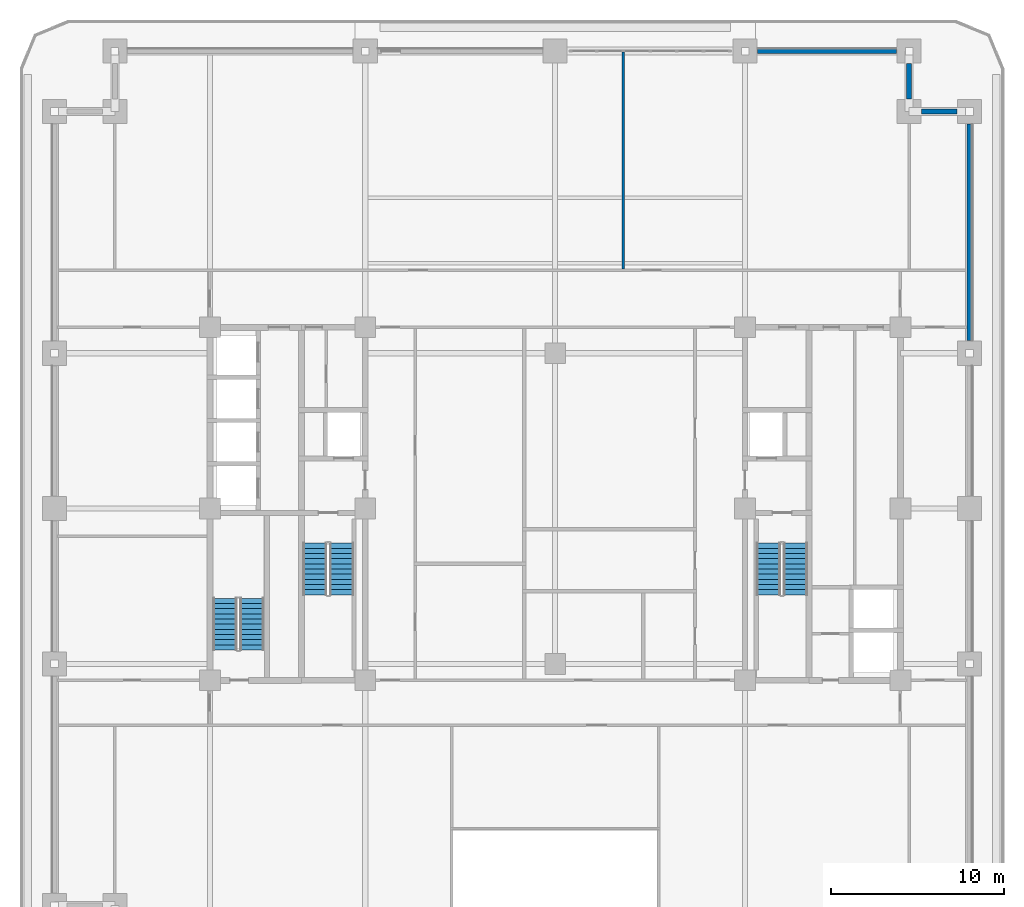
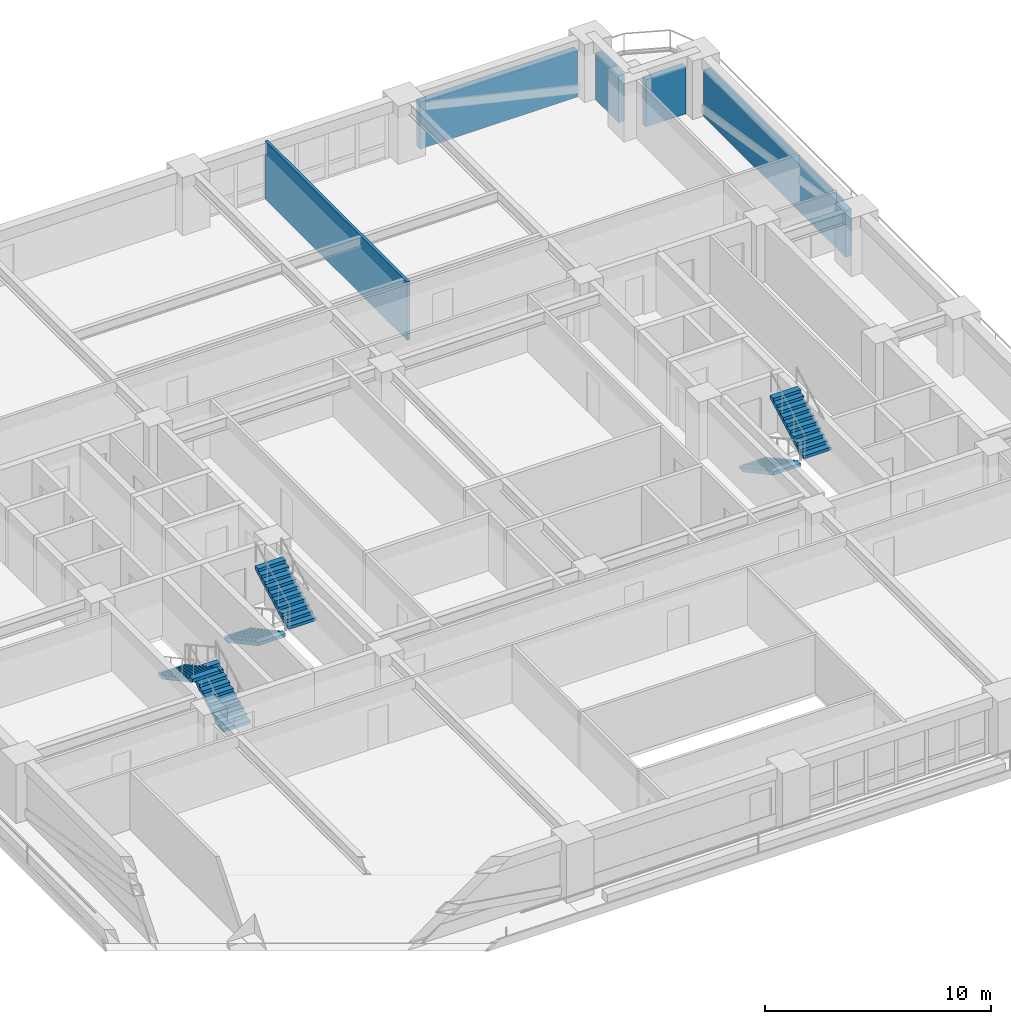
# One storey, part 10 of 18: 6 stair flights, 5 walls, 3 elements without a shape of their own.
"""IFC4 building model written with IfcOpenShell, lengths in metres."""

from ifc_helpers import new_model, si_unit, direction, frame, frame_2d, origin, place, context, subcontext, project, spatial, polyline, rectangle, outline, extrude, material, layer, layer_set, type_object, element, aggregate, save


model = new_model("IFC4")

# Units and contexts
model_context = context("Model", 3, precision=1e-05, world=origin(), true_north=direction((0.0, 1.0)))
body_context = subcontext(model_context, "Body", "Model", "MODEL_VIEW")
ifc_project = project(units=[si_unit("LENGTHUNIT", "METRE"), si_unit("AREAUNIT", "SQUARE_METRE"), si_unit("VOLUMEUNIT", "CUBIC_METRE"), si_unit("PLANEANGLEUNIT", "RADIAN"), si_unit("MASSUNIT", "GRAM", prefix="KILO")], contexts=[model_context])

# Site, building, storey
site_placement = place(None, origin())
site = spatial("IfcSite", under=ifc_project, at=site_placement, CompositionType="ELEMENT")
building_placement = place(site_placement, origin())
building = spatial("IfcBuilding", under=site, at=building_placement, Name="Zulmaris Gate Convention Tower", CompositionType="ELEMENT")
storey_placement = place(building_placement, frame((0.0, 0.0, 78.60986328125)))
storey = spatial("IfcBuildingStorey", under=building, at=storey_placement, Name="L19", CompositionType="ELEMENT", Elevation=78.60986328125)

# Walls
ifc_material_1 = material(Name="Gypsum Metal Stud Partition")
ifc_layer_1 = layer(ifc_material_1, 0.14990234375, Name="Gypsum Metal Stud Partition")
ifc_layer_set_1 = layer_set([ifc_layer_1], Name="Gypsum Metal Stud Partition")
wall_type_1 = type_object("IfcWallType", Name="PART-150", PredefinedType="PARTITIONING", material=ifc_layer_set_1)
wall_1_placement = place(storey_placement, frame((3.949951171875, 13.8779296875, 0.0), z_axis=(0.0, 0.0, 1.0), x_axis=(0.0, 1.0, 0.0)))
element("IfcWall", 1, at=wall_1_placement, inside=storey, type_object=wall_type_1, Name="WL-L19-085", PredefinedType="PARTITIONING", context=body_context, shape_type="SweptSolid", body=[
    extrude(rectangle(XDim=12.56201171875, YDim=0.14990234375, at=frame_2d((6.281005859375, 0.0))), origin(), (0.0, 0.0, 1.0), 3.14501953125),
])
ifc_material_2 = material(Name="Precast concrete C40/50", Category="concrete")
ifc_layer_2 = layer(ifc_material_2, 0.300048828125, Name="Precast concrete C40/50")
ifc_layer_set_2 = layer_set([ifc_layer_2], Name="Precast concrete C40/50")
wall_type_2 = type_object("IfcWallType", Name="PRECAST-PIER-300", PredefinedType="STANDARD", material=ifc_layer_set_2)
for number, where, z_axis, x_axis, name in (
    (2, (23.27001953125, 23.0, 0.0), (0.0, 0.0, 1.0), (-1.0, 0.0, 0.0), "EW-L19-NOTCH-NE1_0"),
    (3, (20.5, 23.72998046875, 0.0), (0.0, 0.0, 1.0), (0.0, 1.0, 0.0), "EW-L19-NOTCH-NE2_0"),
):
    element("IfcWall", number, at=place(storey_placement, frame(where, z_axis=z_axis, x_axis=x_axis)), inside=storey, type_object=wall_type_2, Name=name, PredefinedType="STANDARD", context=body_context, shape_type="SweptSolid", body=[
        extrude(rectangle(XDim=2.0400390625, YDim=0.300048828125, at=frame_2d((1.02001953125, 0.0))), origin(), (0.0, 0.0, 1.0), 2.537109375),
    ])
wall_2_placement = place(storey_placement, frame((19.77001953125, 26.5, 0.0), z_axis=(0.0, 0.0, 1.0), x_axis=(-1.0, 0.0, 0.0)))
element("IfcWall", 4, at=wall_2_placement, inside=storey, type_object=wall_type_2, Name="EW-L19-N-3_0", PredefinedType="STANDARD", context=body_context, shape_type="SweptSolid", body=[
    extrude(rectangle(XDim=8.0400390625, YDim=0.300048828125, at=frame_2d((4.02001953125, 0.0))), origin(), (0.0, 0.0, 1.0), 2.537109375),
])
wall_3_placement = place(storey_placement, frame((24.0, 9.72998046875, 0.0), z_axis=(0.0, 0.0, 1.0), x_axis=(0.0, 1.0, 0.0)))
element("IfcWall", 5, at=wall_3_placement, inside=storey, type_object=wall_type_2, Name="EW-L19-E-3_0", PredefinedType="STANDARD", context=body_context, shape_type="SweptSolid", body=[
    extrude(rectangle(XDim=12.5400390625, YDim=0.300048828125, at=frame_2d((6.27001953125, 0.0))), origin(), (0.0, 0.0, 1.0), 2.537109375),
])

# Stair, stair flights
ifc_material_3 = material(Name="Concrete C45/55", Category="concrete")
stair_type = type_object("IfcStairType", Name="ST-CORE-DOGLEG", PredefinedType="HALF_TURN_STAIR", material=ifc_material_3)
stair_1_placement = place(storey_placement, origin())
stair_1 = element("IfcStair", 6, at=stair_1_placement, inside=storey, type_object=stair_type, Name="L19 Core Exit Stair ST-1", PredefinedType="HALF_TURN_STAIR")
ifc_layer_3 = layer(ifc_material_3, 0.14990234375, Name="Concrete C45/55")
ifc_layer_set_3 = layer_set([ifc_layer_3], Name="Concrete C45/55")
stair_flight_type = type_object("IfcStairFlightType", Name="STF-RC150", PredefinedType="STRAIGHT", material=ifc_layer_set_3)
stair_flight_1_placement = place(storey_placement, frame((-13.919921875, -2.0, 0.0), z_axis=(0.0, 0.0, 1.0), x_axis=(0.0, -1.0, 0.0)))
stair_flight_1 = element("IfcStairFlight", 7, at=stair_flight_1_placement, type_object=stair_flight_type, Name="ST-1 flight 1", NumberOfRisers=11, NumberOfTreads=10, PredefinedType="STRAIGHT", RiserHeight=0.162272727, TreadLength=0.3, context=body_context, shape_type="SweptSolid", body=[
    extrude(outline(polyline([(0.0, 0.0), (0.0, 0.162353515625), (0.300048828125, 0.162353515625), (0.300048828125, 0.324462890625), (0.60009765625, 0.324462890625), (0.60009765625, 0.48681640625), (0.89990234375, 0.48681640625), (0.89990234375, 0.649169921875), (1.199951171875, 0.649169921875), (1.199951171875, 0.811279296875), (1.5, 0.811279296875), (1.5, 0.9736328125), (1.800048828125, 0.9736328125), (1.800048828125, 1.135986328125), (2.10009765625, 1.135986328125), (2.10009765625, 1.298095703125), (2.39990234375, 1.298095703125), (2.39990234375, 1.46044921875), (2.699951171875, 1.46044921875), (2.699951171875, 1.622802734375), (3.0, 1.622802734375), (3.0, 1.784912109375), (3.0, 1.452392578125), (0.315185546875, 0.0), (0.0, 0.0)])), frame((0.0, 0.699951171875, 0.0), z_axis=(0.0, -1.0, 0.0), x_axis=(1.0, 0.0, 0.0)), (0.0, 0.0, 1.0), 1.39990234375),
])
stair_flight_2_placement = place(storey_placement, frame((-12.360107421875, -5.0, 1.78515625), z_axis=(0.0, 0.0, 1.0), x_axis=(0.0, 1.0, 0.0)))
stair_flight_2 = element("IfcStairFlight", 8, at=stair_flight_2_placement, type_object=stair_flight_type, Name="ST-1 flight 2", NumberOfRisers=11, NumberOfTreads=10, PredefinedType="STRAIGHT", RiserHeight=0.162272727, TreadLength=0.3, context=body_context, shape_type="SweptSolid", body=[
    extrude(outline(polyline([(0.0, 0.0), (0.0, 0.162353515625), (0.300048828125, 0.162353515625), (0.300048828125, 0.324462890625), (0.60009765625, 0.324462890625), (0.60009765625, 0.48681640625), (0.89990234375, 0.48681640625), (0.89990234375, 0.649169921875), (1.199951171875, 0.649169921875), (1.199951171875, 0.811279296875), (1.5, 0.811279296875), (1.5, 0.9736328125), (1.800048828125, 0.9736328125), (1.800048828125, 1.135986328125), (2.10009765625, 1.135986328125), (2.10009765625, 1.298095703125), (2.39990234375, 1.298095703125), (2.39990234375, 1.46044921875), (2.699951171875, 1.46044921875), (2.699951171875, 1.622802734375), (3.0, 1.622802734375), (3.0, 1.784912109375), (3.0, 1.452392578125), (0.315185546875, 0.0), (0.0, 0.0)])), frame((0.0, 0.699951171875, 0.0), z_axis=(0.0, -1.0, 0.0), x_axis=(1.0, 0.0, 0.0)), (0.0, 0.0, 1.0), 1.39990234375),
])
aggregate(stair_1, [stair_flight_1, stair_flight_2])

stair_2_placement = place(storey_placement, origin())
stair_2 = element("IfcStair", 9, at=stair_2_placement, inside=storey, type_object=stair_type, Name="L19 Core Exit Stair ST-2", PredefinedType="HALF_TURN_STAIR")
stair_flight_3_placement = place(storey_placement, frame((12.360107421875, -2.0, 0.0), z_axis=(0.0, 0.0, 1.0), x_axis=(0.0, -1.0, 0.0)))
stair_flight_3 = element("IfcStairFlight", 10, at=stair_flight_3_placement, type_object=stair_flight_type, Name="ST-2 flight 1", NumberOfRisers=11, NumberOfTreads=10, PredefinedType="STRAIGHT", RiserHeight=0.162272727, TreadLength=0.3, context=body_context, shape_type="SweptSolid", body=[
    extrude(outline(polyline([(0.0, 0.0), (0.0, 0.162353515625), (0.300048828125, 0.162353515625), (0.300048828125, 0.324462890625), (0.60009765625, 0.324462890625), (0.60009765625, 0.48681640625), (0.89990234375, 0.48681640625), (0.89990234375, 0.649169921875), (1.199951171875, 0.649169921875), (1.199951171875, 0.811279296875), (1.5, 0.811279296875), (1.5, 0.9736328125), (1.800048828125, 0.9736328125), (1.800048828125, 1.135986328125), (2.10009765625, 1.135986328125), (2.10009765625, 1.298095703125), (2.39990234375, 1.298095703125), (2.39990234375, 1.46044921875), (2.699951171875, 1.46044921875), (2.699951171875, 1.622802734375), (3.0, 1.622802734375), (3.0, 1.784912109375), (3.0, 1.452392578125), (0.315185546875, 0.0), (0.0, 0.0)])), frame((0.0, 0.699951171875, 0.0), z_axis=(0.0, -1.0, 0.0), x_axis=(1.0, 0.0, 0.0)), (0.0, 0.0, 1.0), 1.39990234375),
])
stair_flight_4_placement = place(storey_placement, frame((13.919921875, -5.0, 1.78515625), z_axis=(0.0, 0.0, 1.0), x_axis=(0.0, 1.0, 0.0)))
stair_flight_4 = element("IfcStairFlight", 11, at=stair_flight_4_placement, type_object=stair_flight_type, Name="ST-2 flight 2", NumberOfRisers=11, NumberOfTreads=10, PredefinedType="STRAIGHT", RiserHeight=0.162272727, TreadLength=0.3, context=body_context, shape_type="SweptSolid", body=[
    extrude(outline(polyline([(0.0, 0.0), (0.0, 0.162353515625), (0.300048828125, 0.162353515625), (0.300048828125, 0.324462890625), (0.60009765625, 0.324462890625), (0.60009765625, 0.48681640625), (0.89990234375, 0.48681640625), (0.89990234375, 0.649169921875), (1.199951171875, 0.649169921875), (1.199951171875, 0.811279296875), (1.5, 0.811279296875), (1.5, 0.9736328125), (1.800048828125, 0.9736328125), (1.800048828125, 1.135986328125), (2.10009765625, 1.135986328125), (2.10009765625, 1.298095703125), (2.39990234375, 1.298095703125), (2.39990234375, 1.46044921875), (2.699951171875, 1.46044921875), (2.699951171875, 1.622802734375), (3.0, 1.622802734375), (3.0, 1.784912109375), (3.0, 1.452392578125), (0.315185546875, 0.0), (0.0, 0.0)])), frame((0.0, 0.699951171875, 0.0), z_axis=(0.0, -1.0, 0.0), x_axis=(1.0, 0.0, 0.0)), (0.0, 0.0, 1.0), 1.39990234375),
])
aggregate(stair_2, [stair_flight_3, stair_flight_4])

stair_3_placement = place(storey_placement, origin())
stair_3 = element("IfcStair", 12, at=stair_3_placement, inside=storey, type_object=stair_type, Name="L19 Core Exit Stair ST-3", PredefinedType="HALF_TURN_STAIR")
stair_flight_5_placement = place(storey_placement, frame((-17.56005859375, -8.199951171875, 0.0), z_axis=(0.0, 0.0, 1.0), x_axis=(0.0, 1.0, 0.0)))
stair_flight_5 = element("IfcStairFlight", 13, at=stair_flight_5_placement, type_object=stair_flight_type, Name="ST-3 flight 1", NumberOfRisers=11, NumberOfTreads=10, PredefinedType="STRAIGHT", RiserHeight=0.162272727, TreadLength=0.3, context=body_context, shape_type="SweptSolid", body=[
    extrude(outline(polyline([(0.0, 0.0), (0.0, 0.162353515625), (0.300048828125, 0.162353515625), (0.300048828125, 0.324462890625), (0.60009765625, 0.324462890625), (0.60009765625, 0.48681640625), (0.89990234375, 0.48681640625), (0.89990234375, 0.649169921875), (1.199951171875, 0.649169921875), (1.199951171875, 0.811279296875), (1.5, 0.811279296875), (1.5, 0.9736328125), (1.800048828125, 0.9736328125), (1.800048828125, 1.135986328125), (2.10009765625, 1.135986328125), (2.10009765625, 1.298095703125), (2.39990234375, 1.298095703125), (2.39990234375, 1.46044921875), (2.699951171875, 1.46044921875), (2.699951171875, 1.622802734375), (3.0, 1.622802734375), (3.0, 1.784912109375), (3.0, 1.452392578125), (0.315185546875, 0.0), (0.0, 0.0)])), frame((0.0, 0.699951171875, 0.0), z_axis=(0.0, -1.0, 0.0), x_axis=(1.0, 0.0, 0.0)), (0.0, 0.0, 1.0), 1.39990234375),
])
stair_flight_6_placement = place(storey_placement, frame((-19.1201171875, -5.199951171875, 1.78515625), z_axis=(0.0, 0.0, 1.0), x_axis=(0.0, -1.0, 0.0)))
stair_flight_6 = element("IfcStairFlight", 14, at=stair_flight_6_placement, type_object=stair_flight_type, Name="ST-3 flight 2", NumberOfRisers=11, NumberOfTreads=10, PredefinedType="STRAIGHT", RiserHeight=0.162272727, TreadLength=0.3, context=body_context, shape_type="SweptSolid", body=[
    extrude(outline(polyline([(0.0, 0.0), (0.0, 0.162353515625), (0.300048828125, 0.162353515625), (0.300048828125, 0.324462890625), (0.60009765625, 0.324462890625), (0.60009765625, 0.48681640625), (0.89990234375, 0.48681640625), (0.89990234375, 0.649169921875), (1.199951171875, 0.649169921875), (1.199951171875, 0.811279296875), (1.5, 0.811279296875), (1.5, 0.9736328125), (1.800048828125, 0.9736328125), (1.800048828125, 1.135986328125), (2.10009765625, 1.135986328125), (2.10009765625, 1.298095703125), (2.39990234375, 1.298095703125), (2.39990234375, 1.46044921875), (2.699951171875, 1.46044921875), (2.699951171875, 1.622802734375), (3.0, 1.622802734375), (3.0, 1.784912109375), (3.0, 1.452392578125), (0.315185546875, 0.0), (0.0, 0.0)])), frame((0.0, 0.699951171875, 0.0), z_axis=(0.0, -1.0, 0.0), x_axis=(1.0, 0.0, 0.0)), (0.0, 0.0, 1.0), 1.39990234375),
])
aggregate(stair_3, [stair_flight_5, stair_flight_6])

save(model, "model.ifc")
